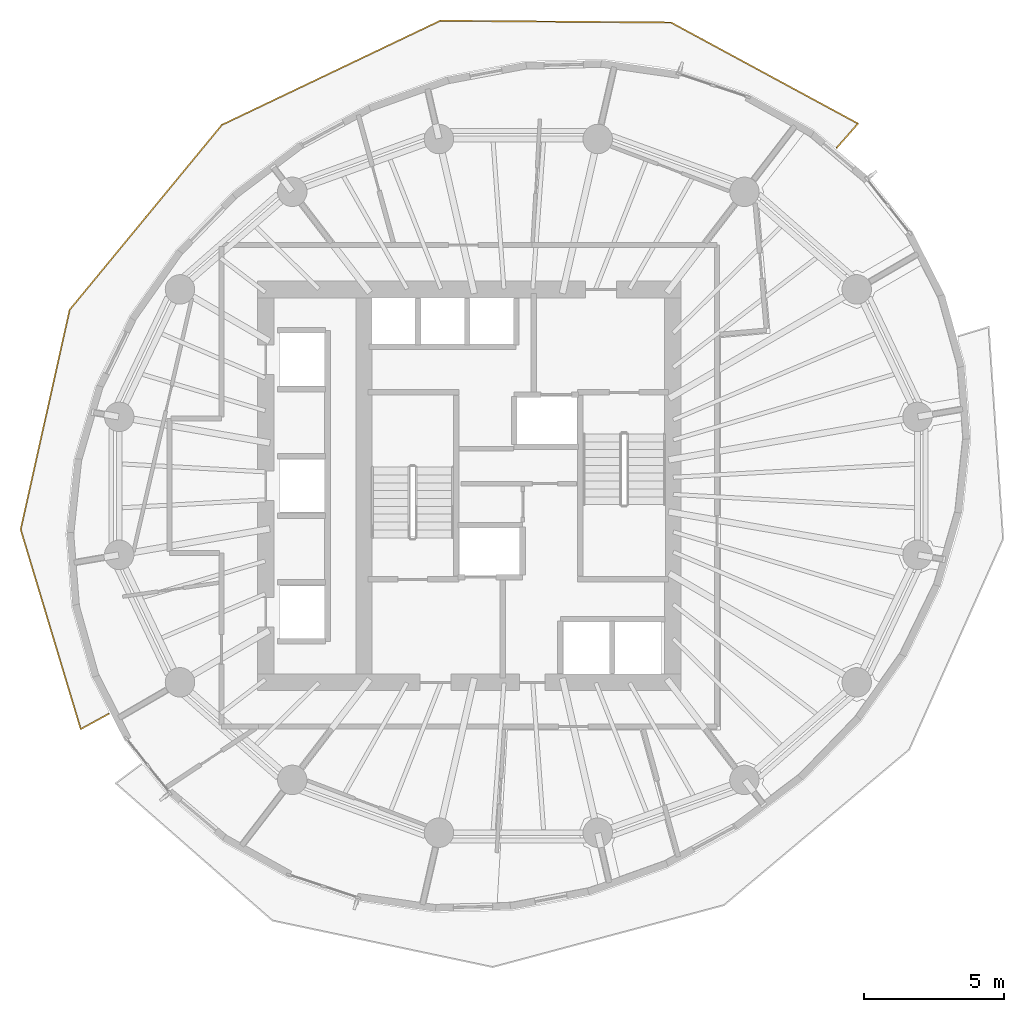
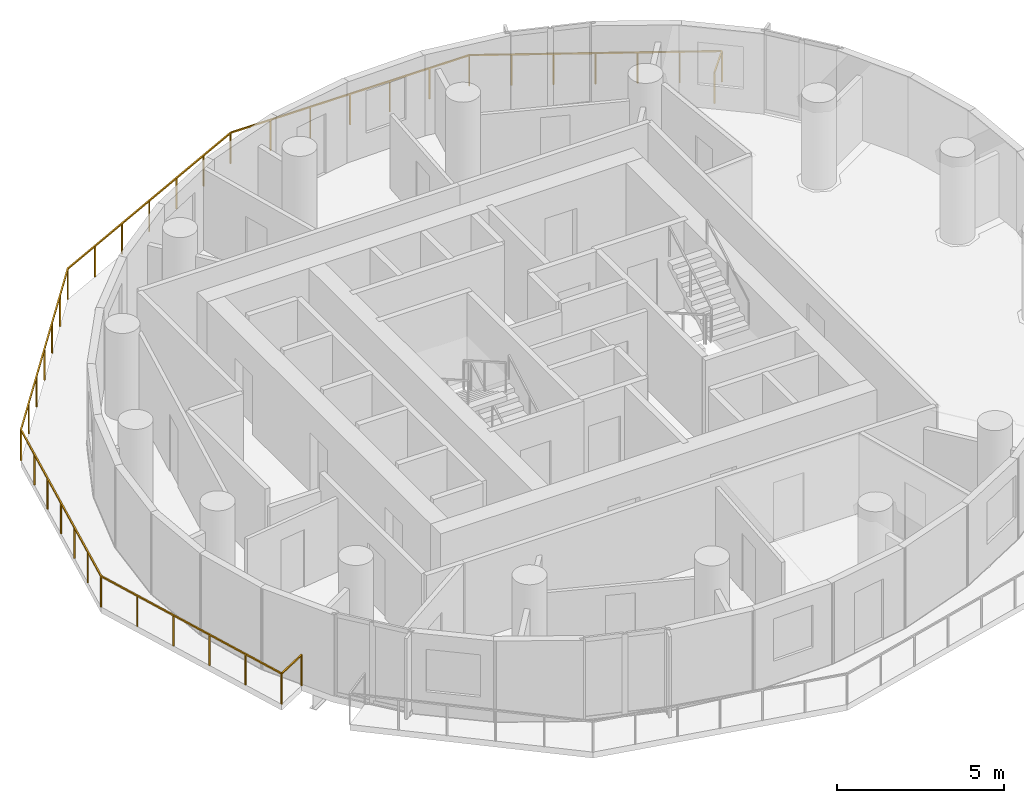
# One storey, part 11 of 12: 1 railing.
"""IFC4 building model written with IfcOpenShell, lengths in metres."""

from ifc_helpers import new_model, si_unit, direction, frame, origin, origin_2d, place, context, subcontext, project, spatial, rectangle, extrude, material, type_object, element, save


model = new_model("IFC4")

# Units and contexts
model_context = context("Model", 3, precision=1e-05, world=origin(), true_north=direction((0.0, 1.0)))
body_context = subcontext(model_context, "Body", "Model", "MODEL_VIEW")
ifc_project = project(units=[si_unit("LENGTHUNIT", "METRE"), si_unit("AREAUNIT", "SQUARE_METRE"), si_unit("VOLUMEUNIT", "CUBIC_METRE"), si_unit("PLANEANGLEUNIT", "RADIAN"), si_unit("MASSUNIT", "GRAM", prefix="KILO")], contexts=[model_context])

# Site, building, storey
site_placement = place(None, origin())
site = spatial("IfcSite", under=ifc_project, at=site_placement, CompositionType="ELEMENT")
building_placement = place(site_placement, origin())
building = spatial("IfcBuilding", under=site, at=building_placement, Name="Veldorim Arch Residences", CompositionType="ELEMENT")
storey_placement = place(building_placement, frame((0.0, 0.0, 139.360107421875)))
storey = spatial("IfcBuildingStorey", under=building, at=storey_placement, Name="L41", CompositionType="ELEMENT", Elevation=139.360107421875)

# Railing
ifc_material = material(Name="Aluminium", Category="aluminium")
railing_type = type_object("IfcRailingType", Name="Balcony & Terrace Laminated Glass Balustrade 1150", PredefinedType="BALUSTRADE", material=ifc_material)
railing_placement = place(storey_placement, frame((43.344482421875, 36.0439453125, 0.0)))
element("IfcRailing", 1, at=railing_placement, inside=storey, type_object=railing_type, Name="L41 crescent balcony safety balustrade A", PredefinedType="BALUSTRADE", context=body_context, shape_type="SweptSolid", body=[
    extrude(rectangle(XDim=0.048095703125, YDim=0.048095703125, at=origin_2d()), frame((0.0, 0.0, 1.1259765625), z_axis=(0.659871347294, 0.751378602983, 0.0), x_axis=(-0.751378602983, 0.659871347294, 0.0)), (0.0, 0.0, 1.0), 1.14990234375),
    extrude(rectangle(XDim=0.048095703125, YDim=0.048095703125, at=origin_2d()), frame((0.7587890625, 0.864013671875, 1.1259765625), z_axis=(-0.879694854098, 0.475538603768, 0.0), x_axis=(-0.475538603768, -0.879694854098, 0.0)), (0.0, 0.0, 1.0), 7.57568359375),
    extrude(rectangle(XDim=0.048095703125, YDim=0.048095703125, at=origin_2d()), frame((-5.905517578125, 4.466552734375, 1.1259765625), z_axis=(-0.999969496505, 0.007810637569, 0.0), x_axis=(-0.007810637569, -0.999969496505, 0.0)), (0.0, 0.0, 1.0), 8.220703125),
    extrude(rectangle(XDim=0.048095703125, YDim=0.048095703125, at=origin_2d()), frame((-14.1259765625, 4.53076171875, 1.1259765625), z_axis=(-0.902569320291, -0.430544564556, 0.0), x_axis=(0.430544564556, -0.902569320291, 0.0)), (0.0, 0.0, 1.0), 8.62255859375),
    extrude(rectangle(XDim=0.048095703125, YDim=0.048095703125, at=origin_2d()), frame((-21.908447265625, 0.818359375, 1.1259765625), z_axis=(-0.635620004197, -0.772002079184, 0.0), x_axis=(0.772002079184, -0.635620004197, 0.0)), (0.0, 0.0, 1.0), 8.533447265625),
    extrude(rectangle(XDim=0.048095703125, YDim=0.048095703125, at=origin_2d()), frame((-27.33251953125, -5.76953125, 1.1259765625), z_axis=(-0.217536384913, -0.976052212353, 0.0), x_axis=(0.976052212353, -0.217536384913, 0.0)), (0.0, 0.0, 1.0), 8.02001953125),
    extrude(rectangle(XDim=0.048095703125, YDim=0.048095703125, at=origin_2d()), frame((-29.0771484375, -13.597412109375, 1.1259765625), z_axis=(0.288170848247, -0.957579010955, 0.0), x_axis=(0.957579010955, 0.288170848247, 0.0)), (0.0, 0.0, 1.0), 7.42919921875),
    extrude(rectangle(XDim=0.048095703125, YDim=0.048095703125, at=origin_2d()), frame((-26.936279296875, -20.71142578125, 1.1259765625), z_axis=(0.878300933975, 0.478108219317, 0.0), x_axis=(-0.478108219317, 0.878300933975, 0.0)), (0.0, 0.0, 1.0), 1.14990234375),
    extrude(rectangle(XDim=0.0419921875, YDim=0.0419921875, at=origin_2d()), origin(), (0.0, 0.0, 1.0), 1.101806640625),
    extrude(rectangle(XDim=0.0419921875, YDim=0.0419921875, at=origin_2d()), frame((0.7587890625, 0.864013671875, 0.0)), (0.0, 0.0, 1.0), 1.101806640625),
    extrude(rectangle(XDim=0.0419921875, YDim=0.0419921875, at=origin_2d()), frame((-0.35205078125, 1.46435546875, 0.0)), (0.0, 0.0, 1.0), 1.101806640625),
    extrude(rectangle(XDim=0.0419921875, YDim=0.0419921875, at=origin_2d()), frame((-1.462646484375, 2.06494140625, 0.0)), (0.0, 0.0, 1.0), 1.101806640625),
    extrude(rectangle(XDim=0.0419921875, YDim=0.0419921875, at=origin_2d()), frame((-2.5732421875, 2.665283203125, 0.0)), (0.0, 0.0, 1.0), 1.101806640625),
    extrude(rectangle(XDim=0.0419921875, YDim=0.0419921875, at=origin_2d()), frame((-3.68408203125, 3.265625, 0.0)), (0.0, 0.0, 1.0), 1.101806640625),
    extrude(rectangle(XDim=0.0419921875, YDim=0.0419921875, at=origin_2d()), frame((-4.794921875, 3.8662109375, 0.0)), (0.0, 0.0, 1.0), 1.101806640625),
    extrude(rectangle(XDim=0.0419921875, YDim=0.0419921875, at=origin_2d()), frame((-5.905517578125, 4.466552734375, 0.0)), (0.0, 0.0, 1.0), 1.101806640625),
    extrude(rectangle(XDim=0.0419921875, YDim=0.0419921875, at=origin_2d()), frame((-7.275634765625, 4.477294921875, 0.0)), (0.0, 0.0, 1.0), 1.101806640625),
    extrude(rectangle(XDim=0.0419921875, YDim=0.0419921875, at=origin_2d()), frame((-8.645751953125, 4.488037109375, 0.0)), (0.0, 0.0, 1.0), 1.101806640625),
    extrude(rectangle(XDim=0.0419921875, YDim=0.0419921875, at=origin_2d()), frame((-10.015625, 4.49853515625, 0.0)), (0.0, 0.0, 1.0), 1.101806640625),
    extrude(rectangle(XDim=0.0419921875, YDim=0.0419921875, at=origin_2d()), frame((-11.3857421875, 4.50927734375, 0.0)), (0.0, 0.0, 1.0), 1.101806640625),
    extrude(rectangle(XDim=0.0419921875, YDim=0.0419921875, at=origin_2d()), frame((-12.755859375, 4.52001953125, 0.0)), (0.0, 0.0, 1.0), 1.101806640625),
    extrude(rectangle(XDim=0.0419921875, YDim=0.0419921875, at=origin_2d()), frame((-14.1259765625, 4.53076171875, 0.0)), (0.0, 0.0, 1.0), 1.101806640625),
    extrude(rectangle(XDim=0.0419921875, YDim=0.0419921875, at=origin_2d()), frame((-15.423095703125, 3.912109375, 0.0)), (0.0, 0.0, 1.0), 1.101806640625),
    extrude(rectangle(XDim=0.0419921875, YDim=0.0419921875, at=origin_2d()), frame((-16.72021484375, 3.293212890625, 0.0)), (0.0, 0.0, 1.0), 1.101806640625),
    extrude(rectangle(XDim=0.0419921875, YDim=0.0419921875, at=origin_2d()), frame((-18.01708984375, 2.674560546875, 0.0)), (0.0, 0.0, 1.0), 1.101806640625),
    extrude(rectangle(XDim=0.0419921875, YDim=0.0419921875, at=origin_2d()), frame((-19.314208984375, 2.055908203125, 0.0)), (0.0, 0.0, 1.0), 1.101806640625),
    extrude(rectangle(XDim=0.0419921875, YDim=0.0419921875, at=origin_2d()), frame((-20.611328125, 1.43701171875, 0.0)), (0.0, 0.0, 1.0), 1.101806640625),
    extrude(rectangle(XDim=0.0419921875, YDim=0.0419921875, at=origin_2d()), frame((-21.908447265625, 0.818359375, 0.0)), (0.0, 0.0, 1.0), 1.101806640625),
    extrude(rectangle(XDim=0.0419921875, YDim=0.0419921875, at=origin_2d()), frame((-22.8125, -0.279541015625, 0.0)), (0.0, 0.0, 1.0), 1.101806640625),
    extrude(rectangle(XDim=0.0419921875, YDim=0.0419921875, at=origin_2d()), frame((-23.716552734375, -1.377685546875, 0.0)), (0.0, 0.0, 1.0), 1.101806640625),
    extrude(rectangle(XDim=0.0419921875, YDim=0.0419921875, at=origin_2d()), frame((-24.62060546875, -2.4755859375, 0.0)), (0.0, 0.0, 1.0), 1.101806640625),
    extrude(rectangle(XDim=0.0419921875, YDim=0.0419921875, at=origin_2d()), frame((-25.5244140625, -3.573486328125, 0.0)), (0.0, 0.0, 1.0), 1.101806640625),
    extrude(rectangle(XDim=0.0419921875, YDim=0.0419921875, at=origin_2d()), frame((-26.428466796875, -4.671630859375, 0.0)), (0.0, 0.0, 1.0), 1.101806640625),
    extrude(rectangle(XDim=0.0419921875, YDim=0.0419921875, at=origin_2d()), frame((-27.33251953125, -5.76953125, 0.0)), (0.0, 0.0, 1.0), 1.101806640625),
    extrude(rectangle(XDim=0.0419921875, YDim=0.0419921875, at=origin_2d()), frame((-27.623291015625, -7.07421875, 0.0)), (0.0, 0.0, 1.0), 1.101806640625),
    extrude(rectangle(XDim=0.0419921875, YDim=0.0419921875, at=origin_2d()), frame((-27.9140625, -8.37890625, 0.0)), (0.0, 0.0, 1.0), 1.101806640625),
    extrude(rectangle(XDim=0.0419921875, YDim=0.0419921875, at=origin_2d()), frame((-28.204833984375, -9.68359375, 0.0)), (0.0, 0.0, 1.0), 1.101806640625),
    extrude(rectangle(XDim=0.0419921875, YDim=0.0419921875, at=origin_2d()), frame((-28.49560546875, -10.988037109375, 0.0)), (0.0, 0.0, 1.0), 1.101806640625),
    extrude(rectangle(XDim=0.0419921875, YDim=0.0419921875, at=origin_2d()), frame((-28.786376953125, -12.292724609375, 0.0)), (0.0, 0.0, 1.0), 1.101806640625),
    extrude(rectangle(XDim=0.0419921875, YDim=0.0419921875, at=origin_2d()), frame((-29.0771484375, -13.597412109375, 0.0)), (0.0, 0.0, 1.0), 1.101806640625),
    extrude(rectangle(XDim=0.0419921875, YDim=0.0419921875, at=origin_2d()), frame((-28.64892578125, -15.020263671875, 0.0)), (0.0, 0.0, 1.0), 1.101806640625),
    extrude(rectangle(XDim=0.0419921875, YDim=0.0419921875, at=origin_2d()), frame((-28.220703125, -16.443115234375, 0.0)), (0.0, 0.0, 1.0), 1.101806640625),
    extrude(rectangle(XDim=0.0419921875, YDim=0.0419921875, at=origin_2d()), frame((-27.792724609375, -17.86572265625, 0.0)), (0.0, 0.0, 1.0), 1.101806640625),
    extrude(rectangle(XDim=0.0419921875, YDim=0.0419921875, at=origin_2d()), frame((-27.364501953125, -19.28857421875, 0.0)), (0.0, 0.0, 1.0), 1.101806640625),
    extrude(rectangle(XDim=0.0419921875, YDim=0.0419921875, at=origin_2d()), frame((-26.936279296875, -20.71142578125, 0.0)), (0.0, 0.0, 1.0), 1.101806640625),
    extrude(rectangle(XDim=0.0419921875, YDim=0.0419921875, at=origin_2d()), frame((-25.92626953125, -20.16162109375, 0.0)), (0.0, 0.0, 1.0), 1.101806640625),
])

save(model, "model.ifc")
